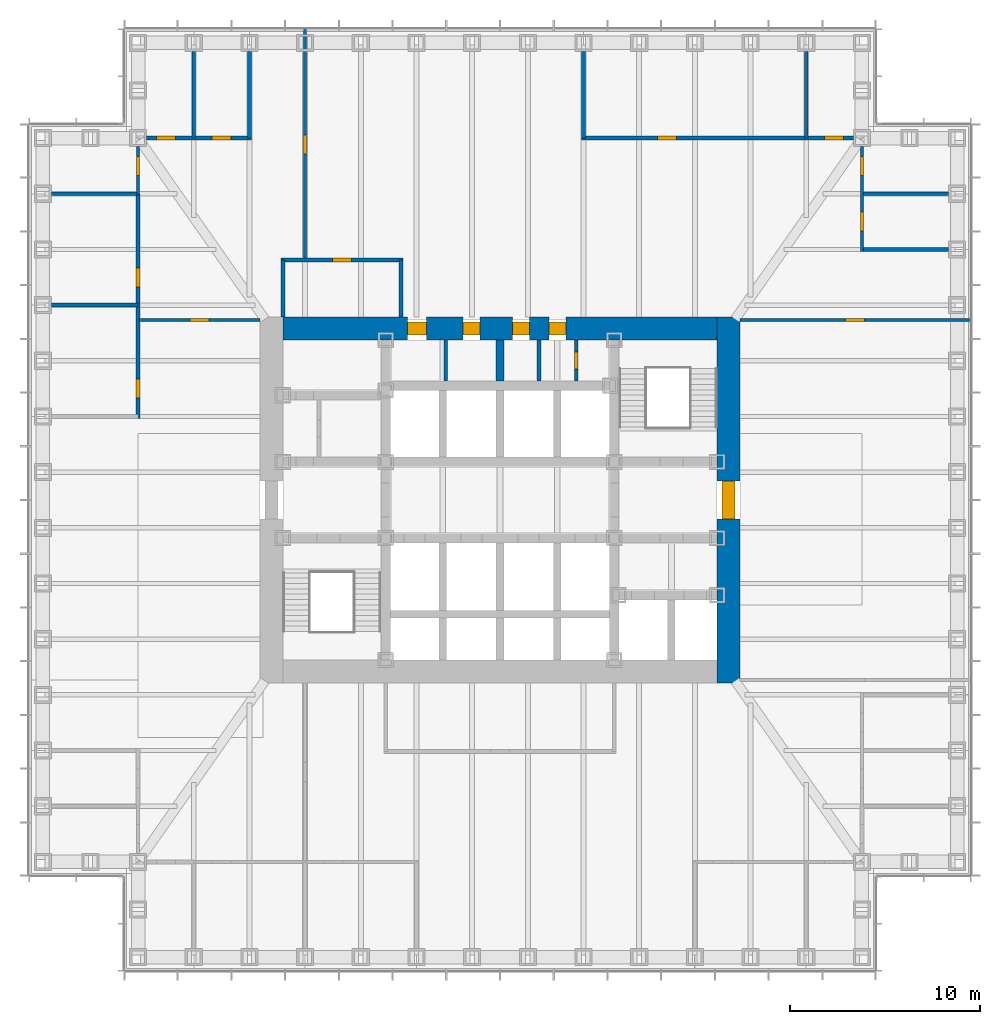
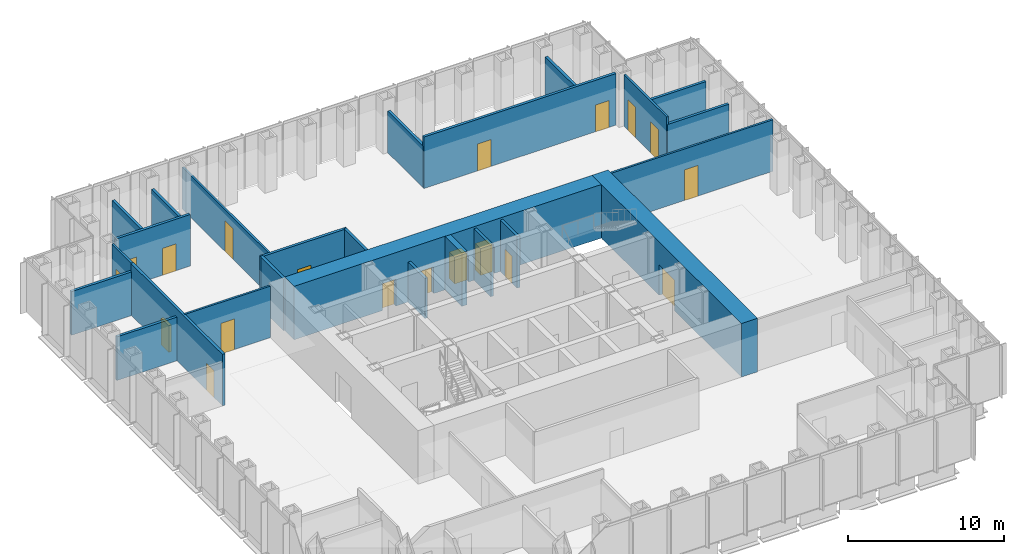
# One storey, part 10 of 17: 25 walls, 19 doors, 19 openings.
"""IFC4 building model written with IfcOpenShell, lengths in metres."""

from ifc_helpers import new_model, si_unit, direction, frame, frame_2d, origin, place, context, subcontext, project, spatial, rectangle, extrude, material, layer, layer_set, type_object, element, fill, save


model = new_model("IFC4")

# Units and contexts
model_context = context("Model", 3, precision=1e-05, world=origin(), true_north=direction((0.0, 1.0)))
body_context = subcontext(model_context, "Body", "Model", "MODEL_VIEW")
ifc_project = project(units=[si_unit("LENGTHUNIT", "METRE"), si_unit("AREAUNIT", "SQUARE_METRE"), si_unit("VOLUMEUNIT", "CUBIC_METRE"), si_unit("PLANEANGLEUNIT", "RADIAN"), si_unit("MASSUNIT", "GRAM", prefix="KILO")], contexts=[model_context])

# Site, building, storey
site_placement = place(None, origin())
site = spatial("IfcSite", under=ifc_project, at=site_placement, CompositionType="ELEMENT")
building_placement = place(site_placement, origin())
building = spatial("IfcBuilding", under=site, at=building_placement, Name="Daluyong Arena Tower", CompositionType="ELEMENT")
storey_placement = place(building_placement, frame((0.0, 0.0, 81.10009765625)))
storey = spatial("IfcBuildingStorey", under=building, at=storey_placement, Name="L17", CompositionType="ELEMENT", Elevation=81.10009765625)

# Wall, opening, door
ifc_material_1 = material(Name="Concrete fc' 60 MPa", Category="concrete")
ifc_layer_1 = layer(ifc_material_1, 1.199951171875)
ifc_layer_set_1 = layer_set([ifc_layer_1], Name="Concrete fc' 60 MPa")
wall_type_1 = type_object("IfcWallType", Name="Core wall 1200", PredefinedType="SHEAR", material=ifc_layer_set_1)
wall_1_placement = place(storey_placement, frame((68.0, 70.39990234375, 0.0), z_axis=(0.0, 0.0, 1.0), x_axis=(0.0, 1.0, 0.0)))
wall_1 = element("IfcWall", 1, at=wall_1_placement, inside=storey, type_object=wall_type_1, Name="core wall at L17", PredefinedType="SHEAR", context=body_context, shape_type="SweptSolid", body=[
    extrude(rectangle(XDim=19.2001953125, YDim=1.199951171875, at=frame_2d((9.60009765625, 0.0))), origin(), (0.0, 0.0, 1.0), 4.199951171875),
])
opening_1_placement = place(wall_1_placement, frame((8.60009765625, 0.0, 0.0)))
opening_1 = element("IfcOpeningElement", 2, at=opening_1_placement, cuts=wall_1, Name="Opening 17012", PredefinedType="OPENING", context=body_context, shape_type="SweptSolid", body=[
    extrude(rectangle(XDim=2.0, YDim=2.39990234375, at=frame_2d((1.0, 1.199951171875))), frame((0.0, 0.60986328125, 0.0), z_axis=(0.0, -1.0, 0.0), x_axis=(1.0, 0.0, 0.0)), (0.0, 0.0, 1.0), 1.219970703125),
])
ifc_material_2 = material(Name="Steel door, fire rated", Category="steel")
door_type_1 = type_object("IfcDoorType", Name="Core lobby double door 2000", OperationType="DOUBLE_DOOR_SINGLE_SWING", PredefinedType="DOOR", material=ifc_material_2)
door_1_placement = place(opening_1_placement, origin())
door_1 = element("IfcDoor", 3, at=door_1_placement, inside=storey, type_object=door_type_1, Name="core lobby door east 17012", OperationType="DOUBLE_DOOR_SINGLE_SWING", OverallHeight=2.39990234375, OverallWidth=2.0, PredefinedType="DOOR", context=body_context, shape_type="SweptSolid", body=[
    extrude(rectangle(XDim=2.0, YDim=2.39990234375, at=frame_2d((1.0, 1.199951171875))), frame((0.0, 0.35009765625, 0.0), z_axis=(0.0, -1.0, 0.0), x_axis=(1.0, 0.0, 0.0)), (0.0, 0.0, 1.0), 0.699951171875),
])
fill(opening_1, door_1)

# Wall, openings, doors
wall_2_placement = place(storey_placement, frame((44.60009765625, 89.0, 0.0), z_axis=(0.0, 0.0, 1.0), x_axis=(1.0, 0.0, 0.0)))
wall_2 = element("IfcWall", 4, at=wall_2_placement, inside=storey, type_object=wall_type_1, Name="core wall at L17", PredefinedType="SHEAR", context=body_context, shape_type="SweptSolid", body=[
    extrude(rectangle(XDim=22.7998046875, YDim=1.199951171875, at=frame_2d((11.39990234375, 0.0))), origin(), (0.0, 0.0, 1.0), 4.199951171875),
])
opening_2_placement = place(wall_2_placement, frame((6.550048828125, 0.0, 0.0)))
opening_2 = element("IfcOpeningElement", 5, at=opening_2_placement, cuts=wall_2, Name="Opening 17004", PredefinedType="OPENING", context=body_context, shape_type="SweptSolid", body=[
    extrude(rectangle(XDim=1.0, YDim=2.10009765625, at=frame_2d((0.5, 1.050048828125))), frame((0.0, 0.60986328125, 0.0), z_axis=(0.0, -1.0, 0.0), x_axis=(1.0, 0.0, 0.0)), (0.0, 0.0, 1.0), 1.219970703125),
])
opening_3_placement = place(wall_2_placement, frame((9.449951171875, 0.0, 0.0)))
opening_3 = element("IfcOpeningElement", 6, at=opening_3_placement, cuts=wall_2, Name="Opening 17005", PredefinedType="OPENING", context=body_context, shape_type="SweptSolid", body=[
    extrude(rectangle(XDim=0.89990234375, YDim=2.10009765625, at=frame_2d((0.449951171875, 1.050048828125))), frame((0.0, 0.60986328125, 0.0), z_axis=(0.0, -1.0, 0.0), x_axis=(1.0, 0.0, 0.0)), (0.0, 0.0, 1.0), 1.219970703125),
])
opening_4_placement = place(wall_2_placement, frame((12.050048828125, 0.0, 0.0)))
opening_4 = element("IfcOpeningElement", 7, at=opening_4_placement, cuts=wall_2, Name="Opening 17006", PredefinedType="OPENING", context=body_context, shape_type="SweptSolid", body=[
    extrude(rectangle(XDim=0.89990234375, YDim=2.10009765625, at=frame_2d((0.449951171875, 1.050048828125))), frame((0.0, 0.60986328125, 0.0), z_axis=(0.0, -1.0, 0.0), x_axis=(1.0, 0.0, 0.0)), (0.0, 0.0, 1.0), 1.219970703125),
])
opening_5_placement = place(wall_2_placement, frame((13.97509765625, 0.0, 0.0)))
opening_5 = element("IfcOpeningElement", 8, at=opening_5_placement, cuts=wall_2, Name="Opening 17007", PredefinedType="OPENING", context=body_context, shape_type="SweptSolid", body=[
    extrude(rectangle(XDim=0.89990234375, YDim=2.10009765625, at=frame_2d((0.449951171875, 1.050048828125))), frame((0.0, 0.60986328125, 0.0), z_axis=(0.0, -1.0, 0.0), x_axis=(1.0, 0.0, 0.0)), (0.0, 0.0, 1.0), 1.219970703125),
])
ifc_material_3 = material(Name="Timber door", Category="wood")
door_type_2 = type_object("IfcDoorType", Name="Accessible toilet door 1000", OperationType="SINGLE_SWING_LEFT", PredefinedType="DOOR", material=ifc_material_3)
door_2_placement = place(opening_2_placement, origin())
door_2 = element("IfcDoor", 9, at=door_2_placement, inside=storey, type_object=door_type_2, Name="accessible toilet door 17004", OperationType="SINGLE_SWING_LEFT", OverallHeight=2.10009765625, OverallWidth=1.0, PredefinedType="DOOR", context=body_context, shape_type="SweptSolid", body=[
    extrude(rectangle(XDim=1.0, YDim=2.10009765625, at=frame_2d((0.5, 1.050048828125))), frame((0.0, 0.35009765625, 0.0), z_axis=(0.0, -1.0, 0.0), x_axis=(1.0, 0.0, 0.0)), (0.0, 0.0, 1.0), 0.699951171875),
])
fill(opening_2, door_2)
ifc_material_4 = material(Name="Steel door, fire rated", Category="steel")
door_type_3 = type_object("IfcDoorType", Name="Core store door 900", OperationType="SINGLE_SWING_LEFT", PredefinedType="DOOR", material=ifc_material_4)
door_3_placement = place(opening_3_placement, origin())
door_3 = element("IfcDoor", 10, at=door_3_placement, inside=storey, type_object=door_type_3, Name="security store door 17005", OperationType="SINGLE_SWING_LEFT", OverallHeight=2.10009765625, OverallWidth=0.89990234375, PredefinedType="DOOR", context=body_context, shape_type="SweptSolid", body=[
    extrude(rectangle(XDim=0.89990234375, YDim=2.10009765625, at=frame_2d((0.449951171875, 1.050048828125))), frame((0.0, 0.35009765625, 0.0), z_axis=(0.0, -1.0, 0.0), x_axis=(1.0, 0.0, 0.0)), (0.0, 0.0, 1.0), 0.699951171875),
])
fill(opening_3, door_3)
door_4_placement = place(opening_4_placement, origin())
door_4 = element("IfcDoor", 11, at=door_4_placement, inside=storey, type_object=door_type_3, Name="stationery store door 17006", OperationType="SINGLE_SWING_LEFT", OverallHeight=2.10009765625, OverallWidth=0.89990234375, PredefinedType="DOOR", context=body_context, shape_type="SweptSolid", body=[
    extrude(rectangle(XDim=0.89990234375, YDim=2.10009765625, at=frame_2d((0.449951171875, 1.050048828125))), frame((0.0, 0.35009765625, 0.0), z_axis=(0.0, -1.0, 0.0), x_axis=(1.0, 0.0, 0.0)), (0.0, 0.0, 1.0), 0.699951171875),
])
fill(opening_4, door_4)
door_5_placement = place(opening_5_placement, origin())
door_5 = element("IfcDoor", 12, at=door_5_placement, inside=storey, type_object=door_type_3, Name="cleaner's store door 17007", OperationType="SINGLE_SWING_LEFT", OverallHeight=2.10009765625, OverallWidth=0.89990234375, PredefinedType="DOOR", context=body_context, shape_type="SweptSolid", body=[
    extrude(rectangle(XDim=0.89990234375, YDim=2.10009765625, at=frame_2d((0.449951171875, 1.050048828125))), frame((0.0, 0.35009765625, 0.0), z_axis=(0.0, -1.0, 0.0), x_axis=(1.0, 0.0, 0.0)), (0.0, 0.0, 1.0), 0.699951171875),
])
fill(opening_5, door_5)

# Wall
ifc_material_5 = material(Name="Concrete block partition, fire rated", Category="concrete")
ifc_layer_2 = layer(ifc_material_5, 0.199951171875)
ifc_layer_set_2 = layer_set([ifc_layer_2], Name="Concrete block partition, fire rated")
wall_type_2 = type_object("IfcWallType", Name="Fire-rated partition 200", PredefinedType="PARTITIONING", material=ifc_layer_set_2)
wall_3_placement = place(storey_placement, frame((53.14990234375, 86.25, 0.0), z_axis=(0.0, 0.0, 1.0), x_axis=(0.0, 1.0, 0.0)))
element("IfcWall", 13, at=wall_3_placement, inside=storey, type_object=wall_type_2, Name="core room partition at L17", PredefinedType="PARTITIONING", context=body_context, shape_type="SweptSolid", body=[
    extrude(rectangle(XDim=2.14990234375, YDim=0.199951171875, at=frame_2d((1.074951171875, 0.0))), origin(), (0.0, 0.0, 1.0), 3.139892578125),
])

# Wall, opening, door
wall_4_placement = place(storey_placement, frame((60.0, 86.25, 0.0), z_axis=(0.0, 0.0, 1.0), x_axis=(0.0, 1.0, 0.0)))
wall_4 = element("IfcWall", 14, at=wall_4_placement, inside=storey, type_object=wall_type_2, Name="electrical riser enclosure at L17", PredefinedType="PARTITIONING", context=body_context, shape_type="SweptSolid", body=[
    extrude(rectangle(XDim=2.14990234375, YDim=0.199951171875, at=frame_2d((1.074951171875, 0.0))), origin(), (0.0, 0.0, 1.0), 4.039794921875),
])
opening_6_placement = place(wall_4_placement, frame((0.625, 0.0, 0.0)))
opening_6 = element("IfcOpeningElement", 15, at=opening_6_placement, cuts=wall_4, Name="Opening 17008", PredefinedType="OPENING", context=body_context, shape_type="SweptSolid", body=[
    extrude(rectangle(XDim=0.89990234375, YDim=2.10009765625, at=frame_2d((0.449951171875, 1.050048828125))), frame((0.0, 0.10986328125, 0.0), z_axis=(0.0, -1.0, 0.0), x_axis=(1.0, 0.0, 0.0)), (0.0, 0.0, 1.0), 0.219970703125),
])
ifc_material_6 = material(Name="Steel door, fire rated", Category="steel")
door_type_4 = type_object("IfcDoorType", Name="Riser door 900", OperationType="SINGLE_SWING_LEFT", PredefinedType="DOOR", material=ifc_material_6)
door_6_placement = place(opening_6_placement, origin())
door_6 = element("IfcDoor", 16, at=door_6_placement, inside=storey, type_object=door_type_4, Name="riser door 17008", OperationType="SINGLE_SWING_LEFT", OverallHeight=2.10009765625, OverallWidth=0.89990234375, PredefinedType="DOOR", context=body_context, shape_type="SweptSolid", body=[
    extrude(rectangle(XDim=0.89990234375, YDim=2.10009765625, at=frame_2d((0.449951171875, 1.050048828125))), frame((0.0, 0.099609375, 0.0), z_axis=(0.0, -1.0, 0.0), x_axis=(1.0, 0.0, 0.0)), (0.0, 0.0, 1.0), 0.199462890625),
])
fill(opening_6, door_6)

# Wall
wall_5_placement = place(storey_placement, frame((58.050048828125, 86.25, 0.0), z_axis=(0.0, 0.0, 1.0), x_axis=(0.0, 1.0, 0.0)))
element("IfcWall", 17, at=wall_5_placement, inside=storey, type_object=wall_type_2, Name="core room partition at L17", PredefinedType="PARTITIONING", context=body_context, shape_type="SweptSolid", body=[
    extrude(rectangle(XDim=2.14990234375, YDim=0.199951171875, at=frame_2d((1.074951171875, 0.0))), origin(), (0.0, 0.0, 1.0), 4.039794921875),
])

# Wall, opening, door
ifc_material_7 = material(Name="Glazed aluminium partition", Category="aluminium")
ifc_layer_3 = layer(ifc_material_7, 0.14990234375)
ifc_layer_set_3 = layer_set([ifc_layer_3], Name="Glazed aluminium partition")
wall_type_3 = type_object("IfcWallType", Name="Glazed partition 150", PredefinedType="PARTITIONING", material=ifc_layer_set_3)
wall_6_placement = place(storey_placement, frame((37.050048828125, 89.449951171875, 0.0), z_axis=(0.0, 0.0, 1.0), x_axis=(1.0, 0.0, 0.0)))
wall_6 = element("IfcWall", 18, at=wall_6_placement, inside=storey, type_object=wall_type_3, Name="glazed partition at L17", PredefinedType="PARTITIONING", context=body_context, shape_type="SweptSolid", body=[
    extrude(rectangle(XDim=6.349853515625, YDim=0.14990234375, at=frame_2d((3.1748046875, 0.0))), origin(), (0.0, 0.0, 1.0), 4.039794921875),
])
opening_7_placement = place(wall_6_placement, frame((2.675048828125, 0.0, 0.0)))
opening_7 = element("IfcOpeningElement", 19, at=opening_7_placement, cuts=wall_6, Name="Opening 17043", PredefinedType="OPENING", context=body_context, shape_type="SweptSolid", body=[
    extrude(rectangle(XDim=1.0, YDim=2.39990234375, at=frame_2d((0.5, 1.199951171875))), frame((0.0, 0.0849609375, 0.0), z_axis=(0.0, -1.0, 0.0), x_axis=(1.0, 0.0, 0.0)), (0.0, 0.0, 1.0), 0.169921875),
])
ifc_material_8 = material(Name="Glazed aluminium door", Category="aluminium")
door_type_5 = type_object("IfcDoorType", Name="Meeting room glazed door 1000", OperationType="SINGLE_SWING_RIGHT", PredefinedType="DOOR", material=ifc_material_8)
door_7_placement = place(opening_7_placement, origin())
door_7 = element("IfcDoor", 20, at=door_7_placement, inside=storey, type_object=door_type_5, Name="team area screen door 17043", OperationType="SINGLE_SWING_RIGHT", OverallHeight=2.39990234375, OverallWidth=1.0, PredefinedType="DOOR", context=body_context, shape_type="SweptSolid", body=[
    extrude(rectangle(XDim=1.0, YDim=2.39990234375, at=frame_2d((0.5, 1.199951171875))), frame((0.0, 0.07470703125, 0.0), z_axis=(0.0, -1.0, 0.0), x_axis=(1.0, 0.0, 0.0)), (0.0, 0.0, 1.0), 0.1494140625),
])
fill(opening_7, door_7)

wall_7_placement = place(storey_placement, frame((68.60009765625, 89.449951171875, 0.0), z_axis=(0.0, 0.0, 1.0), x_axis=(1.0, 0.0, 0.0)))
wall_7 = element("IfcWall", 21, at=wall_7_placement, inside=storey, type_object=wall_type_3, Name="glazed partition at L17", PredefinedType="PARTITIONING", context=body_context, shape_type="SweptSolid", body=[
    extrude(rectangle(XDim=12.08984375, YDim=0.14990234375, at=frame_2d((6.044921875, 0.0))), origin(), (0.0, 0.0, 1.0), 4.039794921875),
])
opening_8_placement = place(wall_7_placement, frame((5.544921875, 0.0, 0.0)))
opening_8 = element("IfcOpeningElement", 22, at=opening_8_placement, cuts=wall_7, Name="Opening 17045", PredefinedType="OPENING", context=body_context, shape_type="SweptSolid", body=[
    extrude(rectangle(XDim=1.0, YDim=2.39990234375, at=frame_2d((0.5, 1.199951171875))), frame((0.0, 0.0849609375, 0.0), z_axis=(0.0, -1.0, 0.0), x_axis=(1.0, 0.0, 0.0)), (0.0, 0.0, 1.0), 0.169921875),
])
door_8_placement = place(opening_8_placement, origin())
door_8 = element("IfcDoor", 23, at=door_8_placement, inside=storey, type_object=door_type_5, Name="team area screen door 17045", OperationType="SINGLE_SWING_RIGHT", OverallHeight=2.39990234375, OverallWidth=1.0, PredefinedType="DOOR", context=body_context, shape_type="SweptSolid", body=[
    extrude(rectangle(XDim=1.0, YDim=2.39990234375, at=frame_2d((0.5, 1.199951171875))), frame((0.0, 0.07470703125, 0.0), z_axis=(0.0, -1.0, 0.0), x_axis=(1.0, 0.0, 0.0)), (0.0, 0.0, 1.0), 0.1494140625),
])
fill(opening_8, door_8)

wall_8_placement = place(storey_placement, frame((37.0, 96.076904296875, 0.0), z_axis=(0.0, 0.0, 1.0), x_axis=(0.0, 1.0, 0.0)))
wall_8 = element("IfcWall", 24, at=wall_8_placement, inside=storey, type_object=wall_type_3, Name="glazed partition at L17", PredefinedType="PARTITIONING", context=body_context, shape_type="SweptSolid", body=[
    extrude(rectangle(XDim=2.47314453125, YDim=0.14990234375, at=frame_2d((1.236572265625, 0.0))), origin(), (0.0, 0.0, 1.0), 4.039794921875),
])
opening_9_placement = place(wall_8_placement, frame((0.96142578125, 0.0, 0.0)))
opening_9 = element("IfcOpeningElement", 25, at=opening_9_placement, cuts=wall_8, Name="Opening 17040", PredefinedType="OPENING", context=body_context, shape_type="SweptSolid", body=[
    extrude(rectangle(XDim=1.0, YDim=2.39990234375, at=frame_2d((0.5, 1.199951171875))), frame((0.0, 0.0849609375, 0.0), z_axis=(0.0, -1.0, 0.0), x_axis=(1.0, 0.0, 0.0)), (0.0, 0.0, 1.0), 0.169921875),
])
door_9_placement = place(opening_9_placement, origin())
door_9 = element("IfcDoor", 26, at=door_9_placement, inside=storey, type_object=door_type_5, Name="focus room door 17040", OperationType="SINGLE_SWING_RIGHT", OverallHeight=2.39990234375, OverallWidth=1.0, PredefinedType="DOOR", context=body_context, shape_type="SweptSolid", body=[
    extrude(rectangle(XDim=1.0, YDim=2.39990234375, at=frame_2d((0.5, 1.199951171875))), frame((0.0, 0.07470703125, 0.0), z_axis=(0.0, -1.0, 0.0), x_axis=(1.0, 0.0, 0.0)), (0.0, 0.0, 1.0), 0.1494140625),
])
fill(opening_9, door_9)

wall_9_placement = place(storey_placement, frame((45.769287109375, 92.64990234375, 0.0), z_axis=(0.0, 0.0, 1.0), x_axis=(0.0, 1.0, 0.0)))
wall_9 = element("IfcWall", 27, at=wall_9_placement, inside=storey, type_object=wall_type_3, Name="glazed partition at L17", PredefinedType="PARTITIONING", context=body_context, shape_type="SweptSolid", body=[
    extrude(rectangle(XDim=12.0400390625, YDim=0.14990234375, at=frame_2d((6.02001953125, 0.0))), origin(), (0.0, 0.0, 1.0), 3.27783203125),
])
opening_10_placement = place(wall_9_placement, frame((5.52001953125, 0.0, 0.0)))
opening_10 = element("IfcOpeningElement", 28, at=opening_10_placement, cuts=wall_9, Name="Opening 17047", PredefinedType="OPENING", context=body_context, shape_type="SweptSolid", body=[
    extrude(rectangle(XDim=1.0, YDim=2.39990234375, at=frame_2d((0.5, 1.199951171875))), frame((0.0, 0.0849609375, 0.0), z_axis=(0.0, -1.0, 0.0), x_axis=(1.0, 0.0, 0.0)), (0.0, 0.0, 1.0), 0.169921875),
])
door_10_placement = place(opening_10_placement, origin())
door_10 = element("IfcDoor", 29, at=door_10_placement, inside=storey, type_object=door_type_5, Name="team area screen door 17047", OperationType="SINGLE_SWING_RIGHT", OverallHeight=2.39990234375, OverallWidth=1.0, PredefinedType="DOOR", context=body_context, shape_type="SweptSolid", body=[
    extrude(rectangle(XDim=1.0, YDim=2.39990234375, at=frame_2d((0.5, 1.199951171875))), frame((0.0, 0.07470703125, 0.0), z_axis=(0.0, -1.0, 0.0), x_axis=(1.0, 0.0, 0.0)), (0.0, 0.0, 1.0), 0.1494140625),
])
fill(opening_10, door_10)

# Wall, openings, doors
wall_10_placement = place(storey_placement, frame((75.0, 93.053955078125, 0.0), z_axis=(0.0, 0.0, 1.0), x_axis=(0.0, 1.0, 0.0)))
wall_10 = element("IfcWall", 30, at=wall_10_placement, inside=storey, type_object=wall_type_3, Name="glazed partition at L17", PredefinedType="PARTITIONING", context=body_context, shape_type="SweptSolid", body=[
    extrude(rectangle(XDim=5.49609375, YDim=0.14990234375, at=frame_2d((2.748046875, 0.0))), origin(), (0.0, 0.0, 1.0), 4.039794921875),
])
opening_11_placement = place(wall_10_placement, frame((1.0615234375, 0.0, 0.0)))
opening_11 = element("IfcOpeningElement", 31, at=opening_11_placement, cuts=wall_10, Name="Opening 17030", PredefinedType="OPENING", context=body_context, shape_type="SweptSolid", body=[
    extrude(rectangle(XDim=1.0, YDim=2.39990234375, at=frame_2d((0.5, 1.199951171875))), frame((0.0, 0.0849609375, 0.0), z_axis=(0.0, -1.0, 0.0), x_axis=(1.0, 0.0, 0.0)), (0.0, 0.0, 1.0), 0.169921875),
])
opening_12_placement = place(wall_10_placement, frame((3.984619140625, 0.0, 0.0)))
opening_12 = element("IfcOpeningElement", 32, at=opening_12_placement, cuts=wall_10, Name="Opening 17031", PredefinedType="OPENING", context=body_context, shape_type="SweptSolid", body=[
    extrude(rectangle(XDim=1.0, YDim=2.39990234375, at=frame_2d((0.5, 1.199951171875))), frame((0.0, 0.0849609375, 0.0), z_axis=(0.0, -1.0, 0.0), x_axis=(1.0, 0.0, 0.0)), (0.0, 0.0, 1.0), 0.169921875),
])
door_11_placement = place(opening_11_placement, origin())
door_11 = element("IfcDoor", 33, at=door_11_placement, inside=storey, type_object=door_type_5, Name="focus room door 17030", OperationType="SINGLE_SWING_RIGHT", OverallHeight=2.39990234375, OverallWidth=1.0, PredefinedType="DOOR", context=body_context, shape_type="SweptSolid", body=[
    extrude(rectangle(XDim=1.0, YDim=2.39990234375, at=frame_2d((0.5, 1.199951171875))), frame((0.0, 0.07470703125, 0.0), z_axis=(0.0, -1.0, 0.0), x_axis=(1.0, 0.0, 0.0)), (0.0, 0.0, 1.0), 0.1494140625),
])
fill(opening_11, door_11)
door_12_placement = place(opening_12_placement, origin())
door_12 = element("IfcDoor", 34, at=door_12_placement, inside=storey, type_object=door_type_5, Name="meeting room door 17031", OperationType="SINGLE_SWING_RIGHT", OverallHeight=2.39990234375, OverallWidth=1.0, PredefinedType="DOOR", context=body_context, shape_type="SweptSolid", body=[
    extrude(rectangle(XDim=1.0, YDim=2.39990234375, at=frame_2d((0.5, 1.199951171875))), frame((0.0, 0.07470703125, 0.0), z_axis=(0.0, -1.0, 0.0), x_axis=(1.0, 0.0, 0.0)), (0.0, 0.0, 1.0), 0.1494140625),
])
fill(opening_12, door_12)

# Walls
ifc_material_9 = material(Name="Concrete fc' 45 MPa", Category="concrete")
ifc_layer_4 = layer(ifc_material_9, 0.39990234375)
ifc_layer_set_4 = layer_set([ifc_layer_4], Name="Concrete fc' 45 MPa")
wall_type_4 = type_object("IfcWallType", Name="Lift shaft wall 400", PredefinedType="SHEAR", material=ifc_layer_set_4)
wall_11_placement = place(storey_placement, frame((56.0, 86.25, 0.0), z_axis=(0.0, 0.0, 1.0), x_axis=(0.0, 1.0, 0.0)))
element("IfcWall", 35, at=wall_11_placement, inside=storey, type_object=wall_type_4, Name="lift shaft wall at L17", PredefinedType="SHEAR", context=body_context, shape_type="SweptSolid", body=[
    extrude(rectangle(XDim=2.14990234375, YDim=0.39990234375, at=frame_2d((1.074951171875, 0.0))), origin(), (0.0, 0.0, 1.0), 4.199951171875),
])
ifc_material_10 = material(Name="Concrete block partition", Category="concrete")
ifc_layer_5 = layer(ifc_material_10, 0.199951171875)
ifc_layer_set_5 = layer_set([ifc_layer_5], Name="Concrete block partition")
wall_type_5 = type_object("IfcWallType", Name="Partition 200", PredefinedType="PARTITIONING", material=ifc_layer_set_5)
for number, where, z_axis, x_axis, name in (
    (36, (75.0, 93.15380859375, 0.0), (0.0, 0.0, 1.0), (1.0, 0.0, 0.0), "partition at L17"),
    (37, (75.0, 96.076904296875, 0.0), (0.0, 0.0, 1.0), (1.0, 0.0, 0.0), "partition at L17"),
    (38, (39.923095703125, 99.0, 0.0), (0.0, 0.0, 1.0), (0.0, 1.0, 0.0), "partition at L17"),
):
    element("IfcWall", number, at=place(storey_placement, frame(where, z_axis=z_axis, x_axis=x_axis)), inside=storey, type_object=wall_type_5, Name=name, PredefinedType="PARTITIONING", context=body_context, shape_type="SweptSolid", body=[
        extrude(rectangle(XDim=4.550048828125, YDim=0.199951171875, at=frame_2d((2.27490234375, 0.0))), origin(), (0.0, 0.0, 1.0), 3.427734375),
    ])
for number, where, z_axis, x_axis, name in (
    (39, (42.84619140625, 99.0, 0.0), (0.0, 0.0, 1.0), (0.0, 1.0, 0.0), "partition at L17"),
    (40, (60.384521484375, 99.0, 0.0), (0.0, 0.0, 1.0), (0.0, 1.0, 0.0), "partition at L17"),
):
    element("IfcWall", number, at=place(storey_placement, frame(where, z_axis=z_axis, x_axis=x_axis)), inside=storey, type_object=wall_type_5, Name=name, PredefinedType="PARTITIONING", context=body_context, shape_type="SweptSolid", body=[
        extrude(rectangle(XDim=4.550048828125, YDim=0.199951171875, at=frame_2d((2.27490234375, 0.0))), origin(), (0.0, 0.0, 1.0), 3.27783203125),
    ])
for number, where, z_axis, x_axis, name in (
    (41, (72.076904296875, 99.0, 0.0), (0.0, 0.0, 1.0), (0.0, 1.0, 0.0), "partition at L17"),
    (42, (32.449951171875, 90.230712890625, 0.0), (0.0, 0.0, 1.0), (1.0, 0.0, 0.0), "partition at L17"),
    (43, (32.449951171875, 96.076904296875, 0.0), (0.0, 0.0, 1.0), (1.0, 0.0, 0.0), "partition at L17"),
):
    element("IfcWall", number, at=place(storey_placement, frame(where, z_axis=z_axis, x_axis=x_axis)), inside=storey, type_object=wall_type_5, Name=name, PredefinedType="PARTITIONING", context=body_context, shape_type="SweptSolid", body=[
        extrude(rectangle(XDim=4.550048828125, YDim=0.199951171875, at=frame_2d((2.27490234375, 0.0))), origin(), (0.0, 0.0, 1.0), 3.427734375),
    ])
for number, where, z_axis, x_axis, name in (
    (44, (44.60009765625, 89.60009765625, 0.0), (0.0, 0.0, 1.0), (0.0, 1.0, 0.0), "partition at L17"),
    (45, (50.800048828125, 89.60009765625, 0.0), (0.0, 0.0, 1.0), (0.0, 1.0, 0.0), "partition at L17"),
):
    element("IfcWall", number, at=place(storey_placement, frame(where, z_axis=z_axis, x_axis=x_axis)), inside=storey, type_object=wall_type_5, Name=name, PredefinedType="PARTITIONING", context=body_context, shape_type="SweptSolid", body=[
        extrude(rectangle(XDim=3.0, YDim=0.199951171875, at=frame_2d((1.5, 0.0))), origin(), (0.0, 0.0, 1.0), 4.039794921875),
    ])

# Wall, opening, door
wall_12_placement = place(storey_placement, frame((44.5, 92.60009765625, 0.0), z_axis=(0.0, 0.0, 1.0), x_axis=(1.0, 0.0, 0.0)))
wall_12 = element("IfcWall", 46, at=wall_12_placement, inside=storey, type_object=wall_type_5, Name="partition at L17", PredefinedType="PARTITIONING", context=body_context, shape_type="SweptSolid", body=[
    extrude(rectangle(XDim=6.39990234375, YDim=0.199951171875, at=frame_2d((3.199951171875, 0.0))), origin(), (0.0, 0.0, 1.0), 4.039794921875),
])
opening_13_placement = place(wall_12_placement, frame((2.699951171875, 0.0, 0.0)))
opening_13 = element("IfcOpeningElement", 47, at=opening_13_placement, cuts=wall_12, Name="Opening 17042", PredefinedType="OPENING", context=body_context, shape_type="SweptSolid", body=[
    extrude(rectangle(XDim=1.0, YDim=2.10009765625, at=frame_2d((0.5, 1.050048828125))), frame((0.0, 0.10986328125, 0.0), z_axis=(0.0, -1.0, 0.0), x_axis=(1.0, 0.0, 0.0)), (0.0, 0.0, 1.0), 0.219970703125),
])
ifc_material_11 = material(Name="Timber door", Category="wood")
door_type_6 = type_object("IfcDoorType", Name="Room door 1000", OperationType="SINGLE_SWING_LEFT", PredefinedType="DOOR", material=ifc_material_11)
door_13_placement = place(opening_13_placement, origin())
door_13 = element("IfcDoor", 48, at=door_13_placement, inside=storey, type_object=door_type_6, Name="comms room door 17042", OperationType="SINGLE_SWING_LEFT", OverallHeight=2.10009765625, OverallWidth=1.0, PredefinedType="DOOR", context=body_context, shape_type="SweptSolid", body=[
    extrude(rectangle(XDim=1.0, YDim=2.10009765625, at=frame_2d((0.5, 1.050048828125))), frame((0.0, 0.099609375, 0.0), z_axis=(0.0, -1.0, 0.0), x_axis=(1.0, 0.0, 0.0)), (0.0, 0.0, 1.0), 0.199462890625),
])
fill(opening_13, door_13)

# Wall, openings, doors
wall_13_placement = place(storey_placement, frame((37.449951171875, 99.0, 0.0), z_axis=(0.0, 0.0, 1.0), x_axis=(1.0, 0.0, 0.0)))
wall_13 = element("IfcWall", 49, at=wall_13_placement, inside=storey, type_object=wall_type_5, Name="partition at L17", PredefinedType="PARTITIONING", context=body_context, shape_type="SweptSolid", body=[
    extrude(rectangle(XDim=5.49609375, YDim=0.199951171875, at=frame_2d((2.748046875, 0.0))), origin(), (0.0, 0.0, 1.0), 4.039794921875),
])
opening_14_placement = place(wall_13_placement, frame((0.511474609375, 0.0, 0.0)))
opening_14 = element("IfcOpeningElement", 50, at=opening_14_placement, cuts=wall_13, Name="Opening 17032", PredefinedType="OPENING", context=body_context, shape_type="SweptSolid", body=[
    extrude(rectangle(XDim=1.0, YDim=2.10009765625, at=frame_2d((0.5, 1.050048828125))), frame((0.0, 0.10986328125, 0.0), z_axis=(0.0, -1.0, 0.0), x_axis=(1.0, 0.0, 0.0)), (0.0, 0.0, 1.0), 0.219970703125),
])
opening_15_placement = place(wall_13_placement, frame((3.4345703125, 0.0, 0.0)))
opening_15 = element("IfcOpeningElement", 51, at=opening_15_placement, cuts=wall_13, Name="Opening 17033", PredefinedType="OPENING", context=body_context, shape_type="SweptSolid", body=[
    extrude(rectangle(XDim=1.0, YDim=2.10009765625, at=frame_2d((0.5, 1.050048828125))), frame((0.0, 0.10986328125, 0.0), z_axis=(0.0, -1.0, 0.0), x_axis=(1.0, 0.0, 0.0)), (0.0, 0.0, 1.0), 0.219970703125),
])
door_14_placement = place(opening_14_placement, origin())
door_14 = element("IfcDoor", 52, at=door_14_placement, inside=storey, type_object=door_type_6, Name="wellness room door 17032", OperationType="SINGLE_SWING_LEFT", OverallHeight=2.10009765625, OverallWidth=1.0, PredefinedType="DOOR", context=body_context, shape_type="SweptSolid", body=[
    extrude(rectangle(XDim=1.0, YDim=2.10009765625, at=frame_2d((0.5, 1.050048828125))), frame((0.0, 0.099609375, 0.0), z_axis=(0.0, -1.0, 0.0), x_axis=(1.0, 0.0, 0.0)), (0.0, 0.0, 1.0), 0.199462890625),
])
fill(opening_14, door_14)
door_15_placement = place(opening_15_placement, origin())
door_15 = element("IfcDoor", 53, at=door_15_placement, inside=storey, type_object=door_type_6, Name="wellness room door 17033", OperationType="SINGLE_SWING_LEFT", OverallHeight=2.10009765625, OverallWidth=1.0, PredefinedType="DOOR", context=body_context, shape_type="SweptSolid", body=[
    extrude(rectangle(XDim=1.0, YDim=2.10009765625, at=frame_2d((0.5, 1.050048828125))), frame((0.0, 0.099609375, 0.0), z_axis=(0.0, -1.0, 0.0), x_axis=(1.0, 0.0, 0.0)), (0.0, 0.0, 1.0), 0.199462890625),
])
fill(opening_15, door_15)

wall_14_placement = place(storey_placement, frame((60.28466796875, 99.0, 0.0), z_axis=(0.0, 0.0, 1.0), x_axis=(1.0, 0.0, 0.0)))
wall_14 = element("IfcWall", 54, at=wall_14_placement, inside=storey, type_object=wall_type_5, Name="partition at L17", PredefinedType="PARTITIONING", context=body_context, shape_type="SweptSolid", body=[
    extrude(rectangle(XDim=14.265380859375, YDim=0.199951171875, at=frame_2d((7.1328125, 0.0))), origin(), (0.0, 0.0, 1.0), 4.039794921875),
])
opening_16_placement = place(wall_14_placement, frame((3.984619140625, 0.0, 0.0)))
opening_16 = element("IfcOpeningElement", 55, at=opening_16_placement, cuts=wall_14, Name="Opening 17034", PredefinedType="OPENING", context=body_context, shape_type="SweptSolid", body=[
    extrude(rectangle(XDim=1.0, YDim=2.10009765625, at=frame_2d((0.5, 1.050048828125))), frame((0.0, 0.10986328125, 0.0), z_axis=(0.0, -1.0, 0.0), x_axis=(1.0, 0.0, 0.0)), (0.0, 0.0, 1.0), 0.219970703125),
])
opening_17_placement = place(wall_14_placement, frame((12.75390625, 0.0, 0.0)))
opening_17 = element("IfcOpeningElement", 56, at=opening_17_placement, cuts=wall_14, Name="Opening 17035", PredefinedType="OPENING", context=body_context, shape_type="SweptSolid", body=[
    extrude(rectangle(XDim=1.0, YDim=2.10009765625, at=frame_2d((0.5, 1.050048828125))), frame((0.0, 0.10986328125, 0.0), z_axis=(0.0, -1.0, 0.0), x_axis=(1.0, 0.0, 0.0)), (0.0, 0.0, 1.0), 0.219970703125),
])
door_16_placement = place(opening_16_placement, origin())
door_16 = element("IfcDoor", 57, at=door_16_placement, inside=storey, type_object=door_type_6, Name="training room door 17034", OperationType="SINGLE_SWING_LEFT", OverallHeight=2.10009765625, OverallWidth=1.0, PredefinedType="DOOR", context=body_context, shape_type="SweptSolid", body=[
    extrude(rectangle(XDim=1.0, YDim=2.10009765625, at=frame_2d((0.5, 1.050048828125))), frame((0.0, 0.099609375, 0.0), z_axis=(0.0, -1.0, 0.0), x_axis=(1.0, 0.0, 0.0)), (0.0, 0.0, 1.0), 0.199462890625),
])
fill(opening_16, door_16)
door_17_placement = place(opening_17_placement, origin())
door_17 = element("IfcDoor", 58, at=door_17_placement, inside=storey, type_object=door_type_6, Name="quiet room door 17035", OperationType="SINGLE_SWING_LEFT", OverallHeight=2.10009765625, OverallWidth=1.0, PredefinedType="DOOR", context=body_context, shape_type="SweptSolid", body=[
    extrude(rectangle(XDim=1.0, YDim=2.10009765625, at=frame_2d((0.5, 1.050048828125))), frame((0.0, 0.099609375, 0.0), z_axis=(0.0, -1.0, 0.0), x_axis=(1.0, 0.0, 0.0)), (0.0, 0.0, 1.0), 0.199462890625),
])
fill(opening_17, door_17)

wall_15_placement = place(storey_placement, frame((37.0, 84.28466796875, 0.0), z_axis=(0.0, 0.0, 1.0), x_axis=(0.0, 1.0, 0.0)))
wall_15 = element("IfcWall", 59, at=wall_15_placement, inside=storey, type_object=wall_type_5, Name="partition at L17", PredefinedType="PARTITIONING", context=body_context, shape_type="SweptSolid", body=[
    extrude(rectangle(XDim=11.792236328125, YDim=0.199951171875, at=frame_2d((5.89599609375, 0.0))), origin(), (0.0, 0.0, 1.0), 4.039794921875),
])
opening_18_placement = place(wall_15_placement, frame((1.0615234375, 0.0, 0.0)))
opening_18 = element("IfcOpeningElement", 60, at=opening_18_placement, cuts=wall_15, Name="Opening 17038", PredefinedType="OPENING", context=body_context, shape_type="SweptSolid", body=[
    extrude(rectangle(XDim=1.0, YDim=2.10009765625, at=frame_2d((0.5, 1.050048828125))), frame((0.0, 0.10986328125, 0.0), z_axis=(0.0, -1.0, 0.0), x_axis=(1.0, 0.0, 0.0)), (0.0, 0.0, 1.0), 0.219970703125),
])
opening_19_placement = place(wall_15_placement, frame((6.90771484375, 0.0, 0.0)))
opening_19 = element("IfcOpeningElement", 61, at=opening_19_placement, cuts=wall_15, Name="Opening 17039", PredefinedType="OPENING", context=body_context, shape_type="SweptSolid", body=[
    extrude(rectangle(XDim=1.0, YDim=2.10009765625, at=frame_2d((0.5, 1.050048828125))), frame((0.0, 0.10986328125, 0.0), z_axis=(0.0, -1.0, 0.0), x_axis=(1.0, 0.0, 0.0)), (0.0, 0.0, 1.0), 0.219970703125),
])
door_18_placement = place(opening_18_placement, origin())
door_18 = element("IfcDoor", 62, at=door_18_placement, inside=storey, type_object=door_type_6, Name="project room door 17038", OperationType="SINGLE_SWING_LEFT", OverallHeight=2.10009765625, OverallWidth=1.0, PredefinedType="DOOR", context=body_context, shape_type="SweptSolid", body=[
    extrude(rectangle(XDim=1.0, YDim=2.10009765625, at=frame_2d((0.5, 1.050048828125))), frame((0.0, 0.099609375, 0.0), z_axis=(0.0, -1.0, 0.0), x_axis=(1.0, 0.0, 0.0)), (0.0, 0.0, 1.0), 0.199462890625),
])
fill(opening_18, door_18)
door_19_placement = place(opening_19_placement, origin())
door_19 = element("IfcDoor", 63, at=door_19_placement, inside=storey, type_object=door_type_6, Name="project room door 17039", OperationType="SINGLE_SWING_LEFT", OverallHeight=2.10009765625, OverallWidth=1.0, PredefinedType="DOOR", context=body_context, shape_type="SweptSolid", body=[
    extrude(rectangle(XDim=1.0, YDim=2.10009765625, at=frame_2d((0.5, 1.050048828125))), frame((0.0, 0.099609375, 0.0), z_axis=(0.0, -1.0, 0.0), x_axis=(1.0, 0.0, 0.0)), (0.0, 0.0, 1.0), 0.199462890625),
])
fill(opening_19, door_19)

save(model, "model.ifc")
